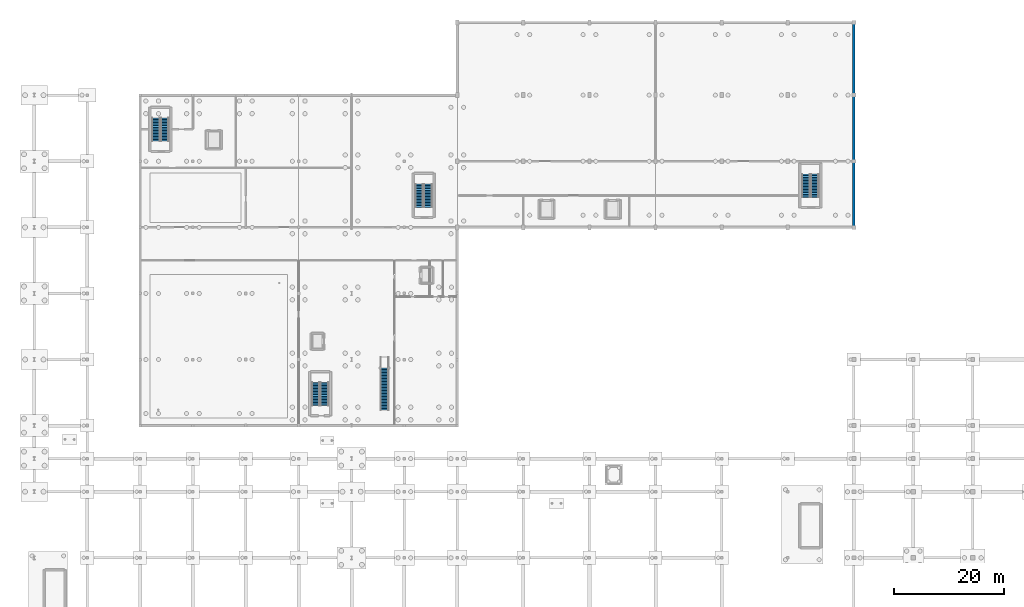
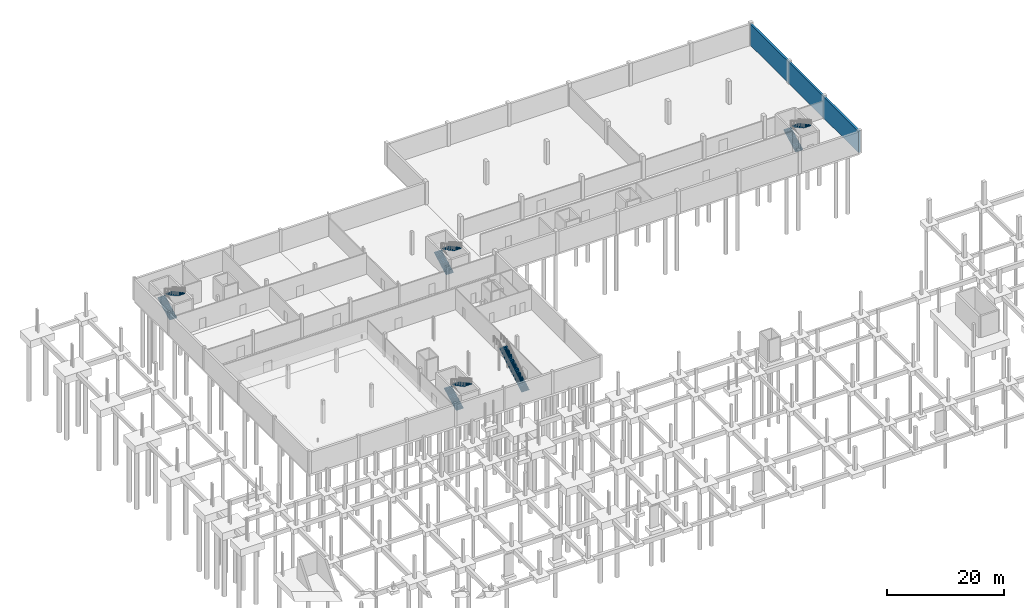
# One storey, part 28 of 31: 9 stair flights, 1 wall, 5 elements without a shape of their own.
"""IFC4 building model written with IfcOpenShell, lengths in metres."""

from ifc_helpers import new_model, si_unit, direction, frame, frame_2d, origin, place, context, subcontext, project, spatial, polyline, rectangle, outline, extrude, material, layer, layer_set, type_object, element, aggregate, save


model = new_model("IFC4")

# Units and contexts
model_context = context("Model", 3, precision=1e-05, world=origin(), true_north=direction((0.0, 1.0)))
body_context = subcontext(model_context, "Body", "Model", "MODEL_VIEW")
ifc_project = project(units=[si_unit("LENGTHUNIT", "METRE"), si_unit("AREAUNIT", "SQUARE_METRE"), si_unit("VOLUMEUNIT", "CUBIC_METRE"), si_unit("PLANEANGLEUNIT", "RADIAN"), si_unit("MASSUNIT", "GRAM", prefix="KILO")], contexts=[model_context])

# Site, building, storey
site_placement = place(None, origin())
site = spatial("IfcSite", under=ifc_project, at=site_placement, CompositionType="ELEMENT")
building_placement = place(site_placement, origin())
building = spatial("IfcBuilding", under=site, at=building_placement, Name="Merenkruunu Market Hall", CompositionType="ELEMENT")
storey_placement = place(building_placement, frame((0.0, 0.0, -4.800048828125)))
storey = spatial("IfcBuildingStorey", under=building, at=storey_placement, Name="B1", CompositionType="ELEMENT", Elevation=-4.800048828125)

# Wall
ifc_material_1 = material(Name="Concrete C35/45", Category="concrete")
ifc_layer = layer(ifc_material_1, 0.39990234375)
ifc_layer_set = layer_set([ifc_layer], Name="Concrete C35/45")
wall_type = type_object("IfcWallType", Name="Basement Retaining Wall RW02", PredefinedType="USERDEFINED", material=ifc_layer_set)
wall_placement = place(storey_placement, frame((148.800048828125, 87.60009765625, 0.0), z_axis=(0.0, 0.0, 1.0), x_axis=(0.0, 1.0, 0.0)))
element("IfcWall", 1, at=wall_placement, inside=storey, type_object=wall_type, Name="WALL-B1-RW-04", ObjectType="RETAININGWALL", PredefinedType="USERDEFINED", context=body_context, shape_type="SweptSolid", body=[
    extrude(rectangle(XDim=37.199951171875, YDim=0.39990234375, at=frame_2d((18.60009765625, 0.0))), origin(), (0.0, 0.0, 1.0), 4.4599609375),
])

# Stair, stair flights
stair_type_1 = type_object("IfcStairType", Name="Two Flight Half Turn Stair ST01", PredefinedType="TWO_STRAIGHT_RUN_STAIR", material=ifc_material_1)
stair_1_placement = place(storey_placement, origin())
stair_1 = element("IfcStair", 2, at=stair_1_placement, inside=storey, type_object=stair_type_1, Name="Protected Stair ST01 (K1 B1-L00)", PredefinedType="TWO_STRAIGHT_RUN_STAIR")
stair_flight_type_1 = type_object("IfcStairFlightType", Name="Straight Stair Flight SFL01", PredefinedType="STRAIGHT", material=ifc_material_1)
stair_flight_1_placement = place(storey_placement, frame((22.10498046875, 103.25, 0.0), z_axis=(0.0, 0.0, 1.0), x_axis=(0.0, 1.0, 0.0)))
stair_flight_1 = element("IfcStairFlight", 3, at=stair_flight_1_placement, type_object=stair_flight_type_1, Name="ST01 flight 1", NumberOfRisers=16, NumberOfTreads=15, PredefinedType="STRAIGHT", RiserHeight=0.15, TreadLength=0.28, context=body_context, shape_type="SweptSolid", body=[
    extrude(outline(polyline([(0.0, 0.0), (0.0, 0.14990234375), (0.280029296875, 0.14990234375), (0.280029296875, 0.300048828125), (0.56005859375, 0.300048828125), (0.56005859375, 0.449951171875), (0.840087890625, 0.449951171875), (0.840087890625, 0.60009765625), (1.1201171875, 0.60009765625), (1.1201171875, 0.75), (1.39990234375, 0.75), (1.39990234375, 0.89990234375), (1.679931640625, 0.89990234375), (1.679931640625, 1.050048828125), (1.9599609375, 1.050048828125), (1.9599609375, 1.199951171875), (2.239990234375, 1.199951171875), (2.239990234375, 1.35009765625), (2.52001953125, 1.35009765625), (2.52001953125, 1.5), (2.800048828125, 1.5), (2.800048828125, 1.64990234375), (3.080078125, 1.64990234375), (3.080078125, 1.800048828125), (3.360107421875, 1.800048828125), (3.360107421875, 1.949951171875), (3.639892578125, 1.949951171875), (3.639892578125, 2.10009765625), (3.919921875, 2.10009765625), (3.919921875, 2.25), (4.199951171875, 2.25), (4.199951171875, 2.39990234375), (4.199951171875, 2.068603515625), (0.338623046875, 0.0), (0.0, 0.0)])), frame((0.0, 0.72509765625, 0.0), z_axis=(0.0, -1.0, 0.0), x_axis=(1.0, 0.0, 0.0)), (0.0, 0.0, 1.0), 1.449951171875),
])
stair_flight_2_placement = place(storey_placement, frame((23.695068359375, 107.449951171875, 2.400146484375), z_axis=(0.0, 0.0, 1.0), x_axis=(0.0, -1.0, 0.0)))
stair_flight_2 = element("IfcStairFlight", 4, at=stair_flight_2_placement, type_object=stair_flight_type_1, Name="ST01 flight 2", NumberOfRisers=16, NumberOfTreads=15, PredefinedType="STRAIGHT", RiserHeight=0.15, TreadLength=0.28, context=body_context, shape_type="SweptSolid", body=[
    extrude(outline(polyline([(0.0, 0.0), (0.0, 0.14990234375), (0.280029296875, 0.14990234375), (0.280029296875, 0.300048828125), (0.56005859375, 0.300048828125), (0.56005859375, 0.449951171875), (0.840087890625, 0.449951171875), (0.840087890625, 0.60009765625), (1.1201171875, 0.60009765625), (1.1201171875, 0.75), (1.39990234375, 0.75), (1.39990234375, 0.89990234375), (1.679931640625, 0.89990234375), (1.679931640625, 1.050048828125), (1.9599609375, 1.050048828125), (1.9599609375, 1.199951171875), (2.239990234375, 1.199951171875), (2.239990234375, 1.35009765625), (2.52001953125, 1.35009765625), (2.52001953125, 1.5), (2.800048828125, 1.5), (2.800048828125, 1.64990234375), (3.080078125, 1.64990234375), (3.080078125, 1.800048828125), (3.360107421875, 1.800048828125), (3.360107421875, 1.949951171875), (3.639892578125, 1.949951171875), (3.639892578125, 2.10009765625), (3.919921875, 2.10009765625), (3.919921875, 2.25), (4.199951171875, 2.25), (4.199951171875, 2.39990234375), (4.199951171875, 2.068603515625), (0.338623046875, 0.0), (0.0, 0.0)])), frame((0.0, 0.72509765625, 0.0), z_axis=(0.0, -1.0, 0.0), x_axis=(1.0, 0.0, 0.0)), (0.0, 0.0, 1.0), 1.449951171875),
])
aggregate(stair_1, [stair_flight_1, stair_flight_2])

stair_2_placement = place(storey_placement, origin())
stair_2 = element("IfcStair", 5, at=stair_2_placement, inside=storey, type_object=stair_type_1, Name="Protected Stair ST04 (K3 B1-L00)", PredefinedType="TWO_STRAIGHT_RUN_STAIR")
stair_flight_3_placement = place(storey_placement, frame((51.10498046875, 55.25, 0.0), z_axis=(0.0, 0.0, 1.0), x_axis=(0.0, 1.0, 0.0)))
stair_flight_3 = element("IfcStairFlight", 6, at=stair_flight_3_placement, type_object=stair_flight_type_1, Name="ST04 flight 1", NumberOfRisers=16, NumberOfTreads=15, PredefinedType="STRAIGHT", RiserHeight=0.15, TreadLength=0.28, context=body_context, shape_type="SweptSolid", body=[
    extrude(outline(polyline([(0.0, 0.0), (0.0, 0.14990234375), (0.280029296875, 0.14990234375), (0.280029296875, 0.300048828125), (0.56005859375, 0.300048828125), (0.56005859375, 0.449951171875), (0.840087890625, 0.449951171875), (0.840087890625, 0.60009765625), (1.1201171875, 0.60009765625), (1.1201171875, 0.75), (1.39990234375, 0.75), (1.39990234375, 0.89990234375), (1.679931640625, 0.89990234375), (1.679931640625, 1.050048828125), (1.9599609375, 1.050048828125), (1.9599609375, 1.199951171875), (2.239990234375, 1.199951171875), (2.239990234375, 1.35009765625), (2.52001953125, 1.35009765625), (2.52001953125, 1.5), (2.800048828125, 1.5), (2.800048828125, 1.64990234375), (3.080078125, 1.64990234375), (3.080078125, 1.800048828125), (3.360107421875, 1.800048828125), (3.360107421875, 1.949951171875), (3.639892578125, 1.949951171875), (3.639892578125, 2.10009765625), (3.919921875, 2.10009765625), (3.919921875, 2.25), (4.199951171875, 2.25), (4.199951171875, 2.39990234375), (4.199951171875, 2.068603515625), (0.338623046875, 0.0), (0.0, 0.0)])), frame((0.0, 0.72509765625, 0.0), z_axis=(0.0, -1.0, 0.0), x_axis=(1.0, 0.0, 0.0)), (0.0, 0.0, 1.0), 1.449951171875),
])
stair_flight_4_placement = place(storey_placement, frame((52.695068359375, 59.449951171875, 2.400146484375), z_axis=(0.0, 0.0, 1.0), x_axis=(0.0, -1.0, 0.0)))
stair_flight_4 = element("IfcStairFlight", 7, at=stair_flight_4_placement, type_object=stair_flight_type_1, Name="ST04 flight 2", NumberOfRisers=16, NumberOfTreads=15, PredefinedType="STRAIGHT", RiserHeight=0.15, TreadLength=0.28, context=body_context, shape_type="SweptSolid", body=[
    extrude(outline(polyline([(0.0, 0.0), (0.0, 0.14990234375), (0.280029296875, 0.14990234375), (0.280029296875, 0.300048828125), (0.56005859375, 0.300048828125), (0.56005859375, 0.449951171875), (0.840087890625, 0.449951171875), (0.840087890625, 0.60009765625), (1.1201171875, 0.60009765625), (1.1201171875, 0.75), (1.39990234375, 0.75), (1.39990234375, 0.89990234375), (1.679931640625, 0.89990234375), (1.679931640625, 1.050048828125), (1.9599609375, 1.050048828125), (1.9599609375, 1.199951171875), (2.239990234375, 1.199951171875), (2.239990234375, 1.35009765625), (2.52001953125, 1.35009765625), (2.52001953125, 1.5), (2.800048828125, 1.5), (2.800048828125, 1.64990234375), (3.080078125, 1.64990234375), (3.080078125, 1.800048828125), (3.360107421875, 1.800048828125), (3.360107421875, 1.949951171875), (3.639892578125, 1.949951171875), (3.639892578125, 2.10009765625), (3.919921875, 2.10009765625), (3.919921875, 2.25), (4.199951171875, 2.25), (4.199951171875, 2.39990234375), (4.199951171875, 2.068603515625), (0.338623046875, 0.0), (0.0, 0.0)])), frame((0.0, 0.72509765625, 0.0), z_axis=(0.0, -1.0, 0.0), x_axis=(1.0, 0.0, 0.0)), (0.0, 0.0, 1.0), 1.449951171875),
])
aggregate(stair_2, [stair_flight_3, stair_flight_4])

stair_3_placement = place(storey_placement, origin())
stair_3 = element("IfcStair", 8, at=stair_3_placement, inside=storey, type_object=stair_type_1, Name="Protected Stair ST07 (K4 B1-L00)", PredefinedType="TWO_STRAIGHT_RUN_STAIR")
stair_flight_5_placement = place(storey_placement, frame((69.905029296875, 91.25, 0.0), z_axis=(0.0, 0.0, 1.0), x_axis=(0.0, 1.0, 0.0)))
stair_flight_5 = element("IfcStairFlight", 9, at=stair_flight_5_placement, type_object=stair_flight_type_1, Name="ST07 flight 1", NumberOfRisers=16, NumberOfTreads=15, PredefinedType="STRAIGHT", RiserHeight=0.15, TreadLength=0.28, context=body_context, shape_type="SweptSolid", body=[
    extrude(outline(polyline([(0.0, 0.0), (0.0, 0.14990234375), (0.280029296875, 0.14990234375), (0.280029296875, 0.300048828125), (0.56005859375, 0.300048828125), (0.56005859375, 0.449951171875), (0.840087890625, 0.449951171875), (0.840087890625, 0.60009765625), (1.1201171875, 0.60009765625), (1.1201171875, 0.75), (1.39990234375, 0.75), (1.39990234375, 0.89990234375), (1.679931640625, 0.89990234375), (1.679931640625, 1.050048828125), (1.9599609375, 1.050048828125), (1.9599609375, 1.199951171875), (2.239990234375, 1.199951171875), (2.239990234375, 1.35009765625), (2.52001953125, 1.35009765625), (2.52001953125, 1.5), (2.800048828125, 1.5), (2.800048828125, 1.64990234375), (3.080078125, 1.64990234375), (3.080078125, 1.800048828125), (3.360107421875, 1.800048828125), (3.360107421875, 1.949951171875), (3.639892578125, 1.949951171875), (3.639892578125, 2.10009765625), (3.919921875, 2.10009765625), (3.919921875, 2.25), (4.199951171875, 2.25), (4.199951171875, 2.39990234375), (4.199951171875, 2.068603515625), (0.338623046875, 0.0), (0.0, 0.0)])), frame((0.0, 0.72509765625, 0.0), z_axis=(0.0, -1.0, 0.0), x_axis=(1.0, 0.0, 0.0)), (0.0, 0.0, 1.0), 1.449951171875),
])
stair_flight_6_placement = place(storey_placement, frame((71.4951171875, 95.449951171875, 2.400146484375), z_axis=(0.0, 0.0, 1.0), x_axis=(0.0, -1.0, 0.0)))
stair_flight_6 = element("IfcStairFlight", 10, at=stair_flight_6_placement, type_object=stair_flight_type_1, Name="ST07 flight 2", NumberOfRisers=16, NumberOfTreads=15, PredefinedType="STRAIGHT", RiserHeight=0.15, TreadLength=0.28, context=body_context, shape_type="SweptSolid", body=[
    extrude(outline(polyline([(0.0, 0.0), (0.0, 0.14990234375), (0.280029296875, 0.14990234375), (0.280029296875, 0.300048828125), (0.56005859375, 0.300048828125), (0.56005859375, 0.449951171875), (0.840087890625, 0.449951171875), (0.840087890625, 0.60009765625), (1.1201171875, 0.60009765625), (1.1201171875, 0.75), (1.39990234375, 0.75), (1.39990234375, 0.89990234375), (1.679931640625, 0.89990234375), (1.679931640625, 1.050048828125), (1.9599609375, 1.050048828125), (1.9599609375, 1.199951171875), (2.239990234375, 1.199951171875), (2.239990234375, 1.35009765625), (2.52001953125, 1.35009765625), (2.52001953125, 1.5), (2.800048828125, 1.5), (2.800048828125, 1.64990234375), (3.080078125, 1.64990234375), (3.080078125, 1.800048828125), (3.360107421875, 1.800048828125), (3.360107421875, 1.949951171875), (3.639892578125, 1.949951171875), (3.639892578125, 2.10009765625), (3.919921875, 2.10009765625), (3.919921875, 2.25), (4.199951171875, 2.25), (4.199951171875, 2.39990234375), (4.199951171875, 2.068603515625), (0.338623046875, 0.0), (0.0, 0.0)])), frame((0.0, 0.72509765625, 0.0), z_axis=(0.0, -1.0, 0.0), x_axis=(1.0, 0.0, 0.0)), (0.0, 0.0, 1.0), 1.449951171875),
])
aggregate(stair_3, [stair_flight_5, stair_flight_6])

stair_4_placement = place(storey_placement, origin())
stair_4 = element("IfcStair", 11, at=stair_4_placement, inside=storey, type_object=stair_type_1, Name="Protected Stair ST17 (K7 B1-L00)", PredefinedType="TWO_STRAIGHT_RUN_STAIR")
stair_flight_7_placement = place(storey_placement, frame((140.10498046875, 93.050048828125, 0.0), z_axis=(0.0, 0.0, 1.0), x_axis=(0.0, 1.0, 0.0)))
stair_flight_7 = element("IfcStairFlight", 12, at=stair_flight_7_placement, type_object=stair_flight_type_1, Name="ST17 flight 1", NumberOfRisers=16, NumberOfTreads=15, PredefinedType="STRAIGHT", RiserHeight=0.15, TreadLength=0.28, context=body_context, shape_type="SweptSolid", body=[
    extrude(outline(polyline([(0.0, 0.0), (0.0, 0.14990234375), (0.280029296875, 0.14990234375), (0.280029296875, 0.300048828125), (0.56005859375, 0.300048828125), (0.56005859375, 0.449951171875), (0.840087890625, 0.449951171875), (0.840087890625, 0.60009765625), (1.1201171875, 0.60009765625), (1.1201171875, 0.75), (1.39990234375, 0.75), (1.39990234375, 0.89990234375), (1.679931640625, 0.89990234375), (1.679931640625, 1.050048828125), (1.9599609375, 1.050048828125), (1.9599609375, 1.199951171875), (2.239990234375, 1.199951171875), (2.239990234375, 1.35009765625), (2.52001953125, 1.35009765625), (2.52001953125, 1.5), (2.800048828125, 1.5), (2.800048828125, 1.64990234375), (3.080078125, 1.64990234375), (3.080078125, 1.800048828125), (3.360107421875, 1.800048828125), (3.360107421875, 1.949951171875), (3.639892578125, 1.949951171875), (3.639892578125, 2.10009765625), (3.919921875, 2.10009765625), (3.919921875, 2.25), (4.199951171875, 2.25), (4.199951171875, 2.39990234375), (4.199951171875, 2.068603515625), (0.338623046875, 0.0), (0.0, 0.0)])), frame((0.0, 0.72509765625, 0.0), z_axis=(0.0, -1.0, 0.0), x_axis=(1.0, 0.0, 0.0)), (0.0, 0.0, 1.0), 1.449951171875),
])
stair_flight_8_placement = place(storey_placement, frame((141.695068359375, 97.25, 2.400146484375), z_axis=(0.0, 0.0, 1.0), x_axis=(0.0, -1.0, 0.0)))
stair_flight_8 = element("IfcStairFlight", 13, at=stair_flight_8_placement, type_object=stair_flight_type_1, Name="ST17 flight 2", NumberOfRisers=16, NumberOfTreads=15, PredefinedType="STRAIGHT", RiserHeight=0.15, TreadLength=0.28, context=body_context, shape_type="SweptSolid", body=[
    extrude(outline(polyline([(0.0, 0.0), (0.0, 0.14990234375), (0.280029296875, 0.14990234375), (0.280029296875, 0.300048828125), (0.56005859375, 0.300048828125), (0.56005859375, 0.449951171875), (0.840087890625, 0.449951171875), (0.840087890625, 0.60009765625), (1.1201171875, 0.60009765625), (1.1201171875, 0.75), (1.39990234375, 0.75), (1.39990234375, 0.89990234375), (1.679931640625, 0.89990234375), (1.679931640625, 1.050048828125), (1.9599609375, 1.050048828125), (1.9599609375, 1.199951171875), (2.239990234375, 1.199951171875), (2.239990234375, 1.35009765625), (2.52001953125, 1.35009765625), (2.52001953125, 1.5), (2.800048828125, 1.5), (2.800048828125, 1.64990234375), (3.080078125, 1.64990234375), (3.080078125, 1.800048828125), (3.360107421875, 1.800048828125), (3.360107421875, 1.949951171875), (3.639892578125, 1.949951171875), (3.639892578125, 2.10009765625), (3.919921875, 2.10009765625), (3.919921875, 2.25), (4.199951171875, 2.25), (4.199951171875, 2.39990234375), (4.199951171875, 2.068603515625), (0.338623046875, 0.0), (0.0, 0.0)])), frame((0.0, 0.72509765625, 0.0), z_axis=(0.0, -1.0, 0.0), x_axis=(1.0, 0.0, 0.0)), (0.0, 0.0, 1.0), 1.449951171875),
])
aggregate(stair_4, [stair_flight_7, stair_flight_8])

# Stair, stair flight
ifc_material_2 = material(Name="Steel S355J2", Category="steel")
stair_type_2 = type_object("IfcStairType", Name="Single Run Feature Stair FST02", PredefinedType="STRAIGHT_RUN_STAIR", material=ifc_material_2)
stair_5_placement = place(storey_placement, origin())
stair_5 = element("IfcStair", 14, at=stair_5_placement, inside=storey, type_object=stair_type_2, Name="Public Feature Stair FST01 (B1-L00)", PredefinedType="STRAIGHT_RUN_STAIR")
stair_flight_type_2 = type_object("IfcStairFlightType", Name="Straight Stair Flight SFL05", PredefinedType="STRAIGHT", material=ifc_material_2)
stair_flight_9_placement = place(storey_placement, frame((63.60009765625, 54.39990234375, 0.0), z_axis=(0.0, 0.0, 1.0), x_axis=(0.0, 1.0, 0.0)))
stair_flight_9 = element("IfcStairFlight", 15, at=stair_flight_9_placement, type_object=stair_flight_type_2, Name="FST01 flight 1", NumberOfRisers=29, NumberOfTreads=28, PredefinedType="STRAIGHT", RiserHeight=0.165517241, TreadLength=0.275, context=body_context, shape_type="SweptSolid", body=[
    extrude(outline(polyline([(0.0, 0.0), (0.0, 0.16552734375), (0.27490234375, 0.16552734375), (0.27490234375, 0.3310546875), (0.550048828125, 0.3310546875), (0.550048828125, 0.49658203125), (0.824951171875, 0.49658203125), (0.824951171875, 0.662109375), (1.10009765625, 0.662109375), (1.10009765625, 0.82763671875), (1.375, 0.82763671875), (1.375, 0.9931640625), (1.64990234375, 0.9931640625), (1.64990234375, 1.15869140625), (1.925048828125, 1.15869140625), (1.925048828125, 1.32421875), (2.199951171875, 1.32421875), (2.199951171875, 1.48974609375), (2.47509765625, 1.48974609375), (2.47509765625, 1.6552734375), (2.75, 1.6552734375), (2.75, 1.82080078125), (3.02490234375, 1.82080078125), (3.02490234375, 1.986328125), (3.300048828125, 1.986328125), (3.300048828125, 2.151611328125), (3.574951171875, 2.151611328125), (3.574951171875, 2.317138671875), (3.85009765625, 2.317138671875), (3.85009765625, 2.482666015625), (4.125, 2.482666015625), (4.125, 2.648193359375), (4.39990234375, 2.648193359375), (4.39990234375, 2.813720703125), (4.675048828125, 2.813720703125), (4.675048828125, 2.979248046875), (4.949951171875, 2.979248046875), (4.949951171875, 3.144775390625), (5.22509765625, 3.144775390625), (5.22509765625, 3.310302734375), (5.5, 3.310302734375), (5.5, 3.475830078125), (5.77490234375, 3.475830078125), (5.77490234375, 3.641357421875), (6.050048828125, 3.641357421875), (6.050048828125, 3.806884765625), (6.324951171875, 3.806884765625), (6.324951171875, 3.972412109375), (6.60009765625, 3.972412109375), (6.60009765625, 4.137939453125), (6.875, 4.137939453125), (6.875, 4.303466796875), (7.14990234375, 4.303466796875), (7.14990234375, 4.468994140625), (7.425048828125, 4.468994140625), (7.425048828125, 4.634521484375), (7.699951171875, 4.634521484375), (7.699951171875, 4.800048828125), (7.699951171875, 4.44775390625), (0.31005859375, 0.0), (0.0, 0.0)])), frame((0.0, 0.75, 0.0), z_axis=(0.0, -1.0, 0.0), x_axis=(1.0, 0.0, 0.0)), (0.0, 0.0, 1.0), 1.5),
])
aggregate(stair_5, [stair_flight_9])

save(model, "model.ifc")
